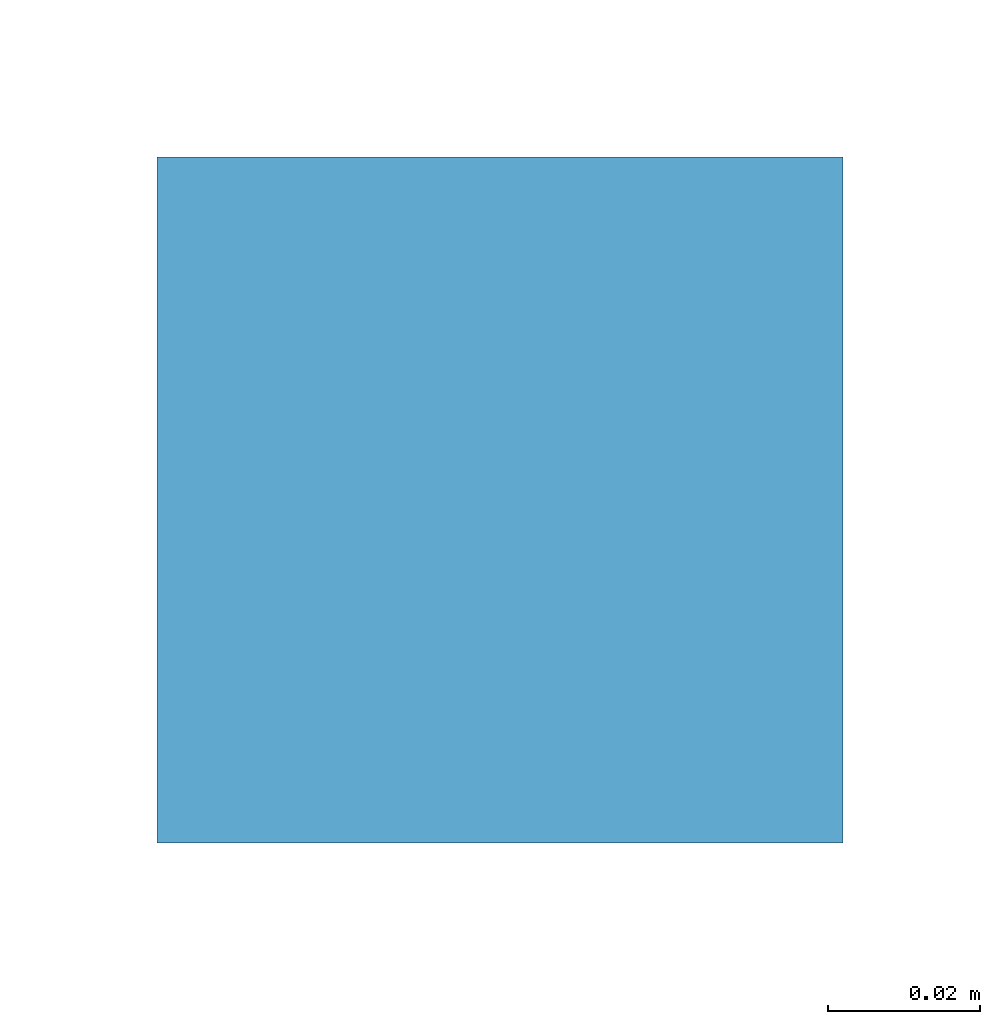
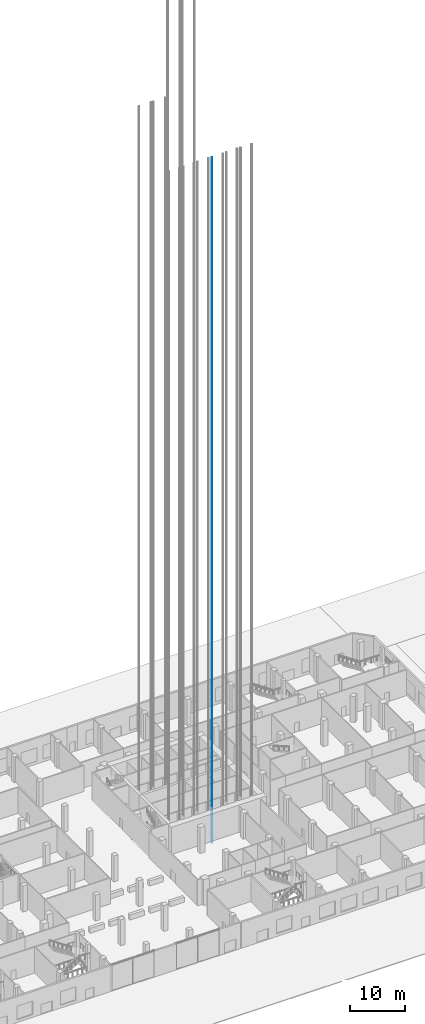
# One storey, part 18 of 55: 1 member.
"""IFC4 building model written with IfcOpenShell, lengths in metres."""

from ifc_helpers import new_model, si_unit, direction, frame, origin, origin_2d, place, context, subcontext, project, spatial, rectangle, extrude, material, material_profile, profile_set, type_object, element, save


model = new_model("IFC4")

# Units and contexts
model_context = context("Model", 3, precision=1e-05, world=origin(), true_north=direction((0.0, 1.0)))
body_context = subcontext(model_context, "Body", "Model", "MODEL_VIEW")
ifc_project = project(units=[si_unit("LENGTHUNIT", "METRE"), si_unit("AREAUNIT", "SQUARE_METRE"), si_unit("VOLUMEUNIT", "CUBIC_METRE"), si_unit("PLANEANGLEUNIT", "RADIAN"), si_unit("MASSUNIT", "GRAM", prefix="KILO")], contexts=[model_context])

# Site, building, storey
site_placement = place(None, origin())
site = spatial("IfcSite", under=ifc_project, at=site_placement, CompositionType="ELEMENT")
building_placement = place(site_placement, origin())
building = spatial("IfcBuilding", under=site, at=building_placement, Name="Cinnabar Reach Civic Tower", CompositionType="ELEMENT")
storey_placement = place(building_placement, origin())
storey = spatial("IfcBuildingStorey", under=building, at=storey_placement, Name="L00", CompositionType="ELEMENT", Elevation=0.0)

# Member
ifc_material = material(Name="Steel Q355B", Category="steel")
ifc_material_profile = material_profile(ifc_material, rectangle(XDim=0.09, YDim=0.09, at=origin_2d()), Name="T1 lift guide rail")
ifc_profile_set = profile_set([ifc_material_profile], Name="Steel Q355B")
member_type = type_object("IfcMemberType", Name="T1 lift guide rail", PredefinedType="USERDEFINED", material=ifc_profile_set)
member_placement = place(storey_placement, frame((13.87, 22.5, -2.5), z_axis=(0.0, 0.0, 1.0), x_axis=(1.0, 0.0, 0.0)))
element("IfcMember", 1, at=member_placement, inside=storey, type_object=member_type, Name="T1-LR4 guide rail 1", ObjectType="GUIDE RAIL", PredefinedType="USERDEFINED", context=body_context, shape_type="SweptSolid", body=[
    extrude(rectangle(XDim=0.09, YDim=0.09, at=origin_2d()), origin(), (0.0, 0.0, 1.0), 150.9),
])

save(model, "model.ifc")
